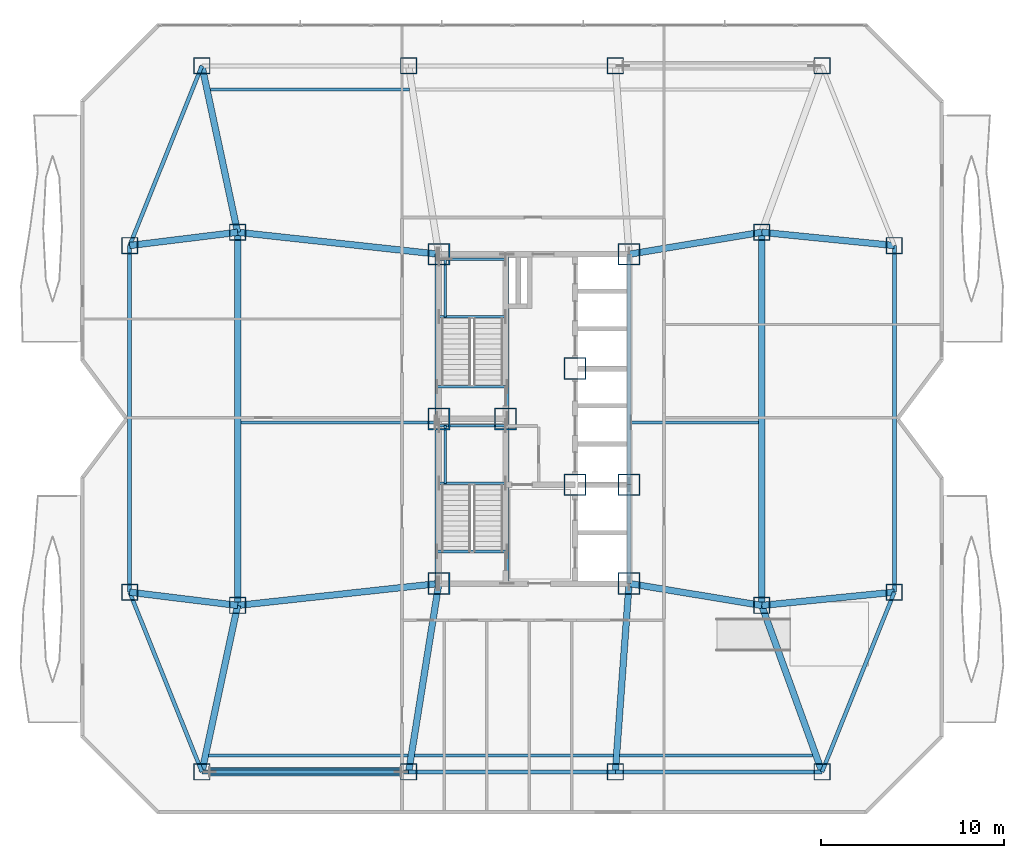
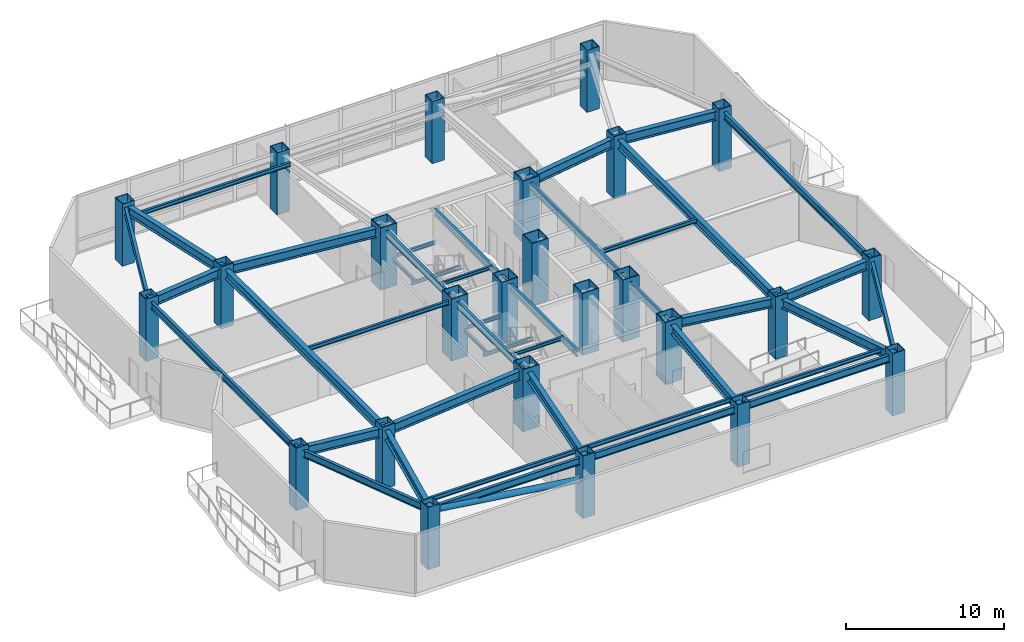
# One storey, part 1 of 16: 43 beams, 25 columns, 1 member.
"""IFC4 building model written with IfcOpenShell, lengths in metres."""

from ifc_helpers import new_model, si_unit, direction, frame, origin, origin_2d, place, context, subcontext, project, spatial, hollow_rectangle, hollow_circle, i_section, extrude, material, material_profile, profile_set, type_object, element, save


model = new_model("IFC4")

# Units and contexts
model_context = context("Model", 3, precision=1e-05, world=origin(), true_north=direction((0.0, 1.0)))
body_context = subcontext(model_context, "Body", "Model", "MODEL_VIEW")
ifc_project = project(units=[si_unit("LENGTHUNIT", "METRE"), si_unit("AREAUNIT", "SQUARE_METRE"), si_unit("VOLUMEUNIT", "CUBIC_METRE"), si_unit("PLANEANGLEUNIT", "RADIAN"), si_unit("MASSUNIT", "GRAM", prefix="KILO")], contexts=[model_context])

# Site, building, storey
site_placement = place(None, origin())
site = spatial("IfcSite", under=ifc_project, at=site_placement, CompositionType="ELEMENT")
building_placement = place(site_placement, origin())
building = spatial("IfcBuilding", under=site, at=building_placement, Name="Khamvora Tower", CompositionType="ELEMENT")
storey_placement = place(building_placement, frame((0.0, 0.0, 145.699951171875)))
storey = spatial("IfcBuildingStorey", under=building, at=storey_placement, Name="L37", CompositionType="ELEMENT", Elevation=145.699951171875)

# Columns
ifc_material_1 = material(Name="Steel S460", Category="steel")
ifc_material_profile_1 = material_profile(ifc_material_1, hollow_rectangle(XDim=1.199951171875, YDim=1.199951171875, WallThickness=0.06005859375, at=origin_2d()), Name="BOX1200x1200x60")
ifc_profile_set_1 = profile_set([ifc_material_profile_1], Name="Steel S460")
column_type_1 = type_object("IfcColumnType", Name="COL-BOX1200", PredefinedType="COLUMN", material=ifc_profile_set_1)
for number, where, z_axis, x_axis, name in (
    (1, (29.0, 19.0, 0.0), (0.0, 0.0, 1.0), (1.0, 0.0, 0.0), "L37 plumb core spine column SC1"),
    (2, (32.64990234375, 28.0, 0.0), (0.0, 0.0, 1.0), (1.0, 0.0, 0.0), "L37 plumb core spine column SC2"),
    (3, (39.39990234375, 19.0, 0.0), (0.0, 0.0, 1.0), (1.0, 0.0, 0.0), "L37 plumb core spine column SC3"),
    (4, (29.0, 28.0, 0.0), (0.0, 0.0, 1.0), (1.0, 0.0, 0.0), "L37 plumb core spine column SC4"),
    (5, (36.449951171875, 24.39990234375, 0.0), (0.0, 0.0, 1.0), (1.0, 0.0, 0.0), "L37 plumb core spine column SC5"),
    (6, (39.39990234375, 24.39990234375, 0.0), (0.0, 0.0, 1.0), (1.0, 0.0, 0.0), "L37 plumb core spine column SC6"),
    (7, (29.0, 37.0, 0.0), (0.0, 0.0, 1.0), (1.0, 0.0, 0.0), "L37 plumb core spine column SC7"),
    (8, (36.449951171875, 30.75, 0.0), (0.0, 0.0, 1.0), (1.0, 0.0, 0.0), "L37 plumb core spine column SC8"),
    (9, (39.39990234375, 37.0, 0.0), (0.0, 0.0, 1.0), (1.0, 0.0, 0.0), "L37 plumb core spine column SC9"),
):
    element("IfcColumn", number, at=place(storey_placement, frame(where, z_axis=z_axis, x_axis=x_axis)), inside=storey, type_object=column_type_1, Name=name, PredefinedType="COLUMN", context=body_context, shape_type="SweptSolid", body=[
        extrude(hollow_rectangle(XDim=1.199951171875, YDim=1.199951171875, WallThickness=0.06005859375, at=origin_2d()), origin(), (0.0, 0.0, 1.0), 4.800048828125),
    ])
ifc_material_2 = material(Name="Steel S355", Category="steel")
ifc_material_profile_2 = material_profile(ifc_material_2, hollow_rectangle(XDim=0.89990234375, YDim=0.89990234375, WallThickness=0.044921875, at=origin_2d()), Name="BOX900x900x45")
ifc_profile_set_2 = profile_set([ifc_material_profile_2], Name="Steel S355")
column_type_2 = type_object("IfcColumnType", Name="COL-BOX900", PredefinedType="COLUMN", material=ifc_profile_set_2)
for number, where, z_axis, x_axis, name in (
    (10, (16.050048828125, 8.699951171875, 0.0), (0.0, 0.0, 1.0), (1.0, 0.0, 0.0), "L37 structural frame column S1"),
    (11, (27.35009765625, 8.699951171875, 0.0), (0.0, 0.0, 1.0), (1.0, 0.0, 0.0), "L37 structural frame column S2"),
    (12, (38.64990234375, 8.699951171875, 0.0), (0.0, 0.0, 1.0), (1.0, 0.0, 0.0), "L37 structural frame column S3"),
    (13, (49.949951171875, 8.699951171875, 0.0), (0.0, 0.0, 1.0), (1.0, 0.0, 0.0), "L37 structural frame column S4"),
    (14, (16.050048828125, 47.300048828125, 0.0), (0.0, 0.0, 1.0), (1.0, 0.0, 0.0), "L37 structural frame column N1"),
    (15, (27.35009765625, 47.300048828125, 0.0), (0.0, 0.0, 1.0), (1.0, 0.0, 0.0), "L37 structural frame column N2"),
    (16, (38.64990234375, 47.300048828125, 0.0), (0.0, 0.0, 1.0), (1.0, 0.0, 0.0), "L37 structural frame column N3"),
    (17, (49.949951171875, 47.300048828125, 0.0), (0.0, 0.0, 1.0), (1.0, 0.0, 0.0), "L37 structural frame column N4"),
    (18, (12.10009765625, 18.52490234375, 0.0), (0.0, 0.0, 1.0), (1.0, 0.0, 0.0), "L37 structural frame column W1"),
    (19, (12.10009765625, 37.47509765625, 0.0), (0.0, 0.0, 1.0), (1.0, 0.0, 0.0), "L37 structural frame column W2"),
    (20, (53.89990234375, 18.52490234375, 0.0), (0.0, 0.0, 1.0), (1.0, 0.0, 0.0), "L37 structural frame column E1"),
    (21, (53.89990234375, 37.47509765625, 0.0), (0.0, 0.0, 1.0), (1.0, 0.0, 0.0), "L37 structural frame column E2"),
    (22, (18.0, 17.800048828125, 0.0), (0.0, 0.0, 1.0), (1.0, 0.0, 0.0), "L37 structural frame column MW1"),
    (23, (18.0, 38.199951171875, 0.0), (0.0, 0.0, 1.0), (1.0, 0.0, 0.0), "L37 structural frame column MW2"),
    (24, (46.64990234375, 17.800048828125, 0.0), (0.0, 0.0, 1.0), (1.0, 0.0, 0.0), "L37 structural frame column M1"),
    (25, (46.64990234375, 38.199951171875, 0.0), (0.0, 0.0, 1.0), (1.0, 0.0, 0.0), "L37 structural frame column M2"),
):
    element("IfcColumn", number, at=place(storey_placement, frame(where, z_axis=z_axis, x_axis=x_axis)), inside=storey, type_object=column_type_2, Name=name, PredefinedType="COLUMN", context=body_context, shape_type="SweptSolid", body=[
        extrude(hollow_rectangle(XDim=0.89990234375, YDim=0.89990234375, WallThickness=0.044921875, at=origin_2d()), origin(), (0.0, 0.0, 1.0), 4.800048828125),
    ])

# Beams
ifc_material_profile_3 = material_profile(ifc_material_2, i_section(OverallWidth=0.166015625, OverallDepth=0.31298828125, WebThickness=0.007080078125, FlangeThickness=0.010986328125, FilletRadius=0.010009765625, at=origin_2d()), Name="W310x45")
ifc_profile_set_3 = profile_set([ifc_material_profile_3], Name="Steel S355")
beam_type_1 = type_object("IfcBeamType", Name="BM-JS-W310x45", PredefinedType="JOIST", material=ifc_profile_set_3)
beam_1_placement = place(storey_placement, frame((16.4189453125, 9.60009765625, 4.323974609375), z_axis=(1.0, 0.0, 0.0), x_axis=(0.0, 1.0, 0.0)))
element("IfcBeam", 26, at=beam_1_placement, inside=storey, type_object=beam_type_1, Name="L37 secondary floor joist 01", PredefinedType="JOIST", context=body_context, shape_type="SweptSolid", body=[
    extrude(i_section(OverallWidth=0.166015625, OverallDepth=0.31298828125, WebThickness=0.007080078125, FlangeThickness=0.010986328125, FilletRadius=0.010009765625, at=origin_2d()), origin(), (0.0, 0.0, 1.0), 10.900146484375),
])
beam_2_placement = place(storey_placement, frame((27.6689453125, 9.60009765625, 4.323974609375), z_axis=(1.0, 0.0, 0.0), x_axis=(0.0, 1.0, 0.0)))
element("IfcBeam", 27, at=beam_2_placement, inside=storey, type_object=beam_type_1, Name="L37 secondary floor joist 02", PredefinedType="JOIST", context=body_context, shape_type="SweptSolid", body=[
    extrude(i_section(OverallWidth=0.166015625, OverallDepth=0.31298828125, WebThickness=0.007080078125, FlangeThickness=0.010986328125, FilletRadius=0.010009765625, at=origin_2d()), origin(), (0.0, 0.0, 1.0), 10.8740234375),
])
beam_3_placement = place(storey_placement, frame((38.888916015625, 9.60009765625, 4.323974609375), z_axis=(1.0, 0.0, 0.0), x_axis=(0.0, 1.0, 0.0)))
element("IfcBeam", 28, at=beam_3_placement, inside=storey, type_object=beam_type_1, Name="L37 secondary floor joist 03", PredefinedType="JOIST", context=body_context, shape_type="SweptSolid", body=[
    extrude(i_section(OverallWidth=0.166015625, OverallDepth=0.31298828125, WebThickness=0.007080078125, FlangeThickness=0.010986328125, FilletRadius=0.010009765625, at=origin_2d()), origin(), (0.0, 0.0, 1.0), 10.551025390625),
])
beam_4_placement = place(storey_placement, frame((18.172119140625, 27.800048828125, 4.323974609375), z_axis=(1.0, 0.0, 0.0), x_axis=(0.0, 1.0, 0.0)))
element("IfcBeam", 29, at=beam_4_placement, inside=storey, type_object=beam_type_1, Name="L37 secondary floor joist 04", PredefinedType="JOIST", context=body_context, shape_type="SweptSolid", body=[
    extrude(i_section(OverallWidth=0.166015625, OverallDepth=0.31298828125, WebThickness=0.007080078125, FlangeThickness=0.010986328125, FilletRadius=0.010009765625, at=origin_2d()), origin(), (0.0, 0.0, 1.0), 10.6279296875),
])
beam_5_placement = place(storey_placement, frame((39.4990234375, 27.800048828125, 4.323974609375), z_axis=(1.0, 0.0, 0.0), x_axis=(0.0, 1.0, 0.0)))
element("IfcBeam", 30, at=beam_5_placement, inside=storey, type_object=beam_type_1, Name="L37 secondary floor joist 05", PredefinedType="JOIST", context=body_context, shape_type="SweptSolid", body=[
    extrude(i_section(OverallWidth=0.166015625, OverallDepth=0.31298828125, WebThickness=0.007080078125, FlangeThickness=0.010986328125, FilletRadius=0.010009765625, at=origin_2d()), origin(), (0.0, 0.0, 1.0), 6.97802734375),
])
beam_6_placement = place(storey_placement, frame((16.5048828125, 46.0, 4.323974609375), z_axis=(1.0, 0.0, 0.0), x_axis=(0.0, 1.0, 0.0)))
element("IfcBeam", 31, at=beam_6_placement, inside=storey, type_object=beam_type_1, Name="L37 secondary floor joist 06", PredefinedType="JOIST", context=body_context, shape_type="SweptSolid", body=[
    extrude(i_section(OverallWidth=0.166015625, OverallDepth=0.31298828125, WebThickness=0.007080078125, FlangeThickness=0.010986328125, FilletRadius=0.010009765625, at=origin_2d()), origin(), (0.0, 0.0, 1.0), 10.878173828125),
])
ifc_material_profile_4 = material_profile(ifc_material_2, i_section(OverallWidth=0.14697265625, OverallDepth=0.261962890625, WebThickness=0.007080078125, FlangeThickness=0.010986328125, FilletRadius=0.008056640625, at=origin_2d()), Name="W250x39")
ifc_profile_set_4 = profile_set([ifc_material_profile_4], Name="Steel S355")
beam_type_2 = type_object("IfcBeamType", Name="BM-LN-W250x39", PredefinedType="LINTEL", material=ifc_profile_set_4)
for number, where, z_axis, x_axis, name in (
    (32, (29.0, 24.47509765625, 2.069091796875), (1.0, 0.0, 0.0), (0.0, 1.0, 0.0), "L37 ST-01 half-landing support beam 1.1"),
    (33, (29.0, 27.6298828125, 2.069091796875), (1.0, 0.0, 0.0), (0.0, 1.0, 0.0), "L37 ST-01 half-landing support beam 1.2"),
):
    element("IfcBeam", number, at=place(storey_placement, frame(where, z_axis=z_axis, x_axis=x_axis)), inside=storey, type_object=beam_type_2, Name=name, PredefinedType="LINTEL", context=body_context, shape_type="SweptSolid", body=[
        extrude(i_section(OverallWidth=0.14697265625, OverallDepth=0.261962890625, WebThickness=0.007080078125, FlangeThickness=0.010986328125, FilletRadius=0.008056640625, at=origin_2d()), origin(), (0.0, 0.0, 1.0), 3.64990234375),
    ])
beam_7_placement = place(storey_placement, frame((29.35009765625, 24.47509765625, 2.069091796875), z_axis=(0.0, 1.0, 0.0), x_axis=(-1.0, 0.0, 0.0)))
element("IfcBeam", 34, at=beam_7_placement, inside=storey, type_object=beam_type_2, Name="L37 ST-01 half-landing edge stringer 1", PredefinedType="LINTEL", context=body_context, shape_type="SweptSolid", body=[
    extrude(i_section(OverallWidth=0.14697265625, OverallDepth=0.261962890625, WebThickness=0.007080078125, FlangeThickness=0.010986328125, FilletRadius=0.008056640625, at=origin_2d()), origin(), (0.0, 0.0, 1.0), 3.15478515625),
])
for number, where, z_axis, x_axis, name in (
    (35, (29.0, 33.574951171875, 2.069091796875), (1.0, 0.0, 0.0), (0.0, 1.0, 0.0), "L37 ST-02 half-landing support beam 1.1"),
    (36, (29.0, 36.72998046875, 2.069091796875), (1.0, 0.0, 0.0), (0.0, 1.0, 0.0), "L37 ST-02 half-landing support beam 1.2"),
):
    element("IfcBeam", number, at=place(storey_placement, frame(where, z_axis=z_axis, x_axis=x_axis)), inside=storey, type_object=beam_type_2, Name=name, PredefinedType="LINTEL", context=body_context, shape_type="SweptSolid", body=[
        extrude(i_section(OverallWidth=0.14697265625, OverallDepth=0.261962890625, WebThickness=0.007080078125, FlangeThickness=0.010986328125, FilletRadius=0.008056640625, at=origin_2d()), origin(), (0.0, 0.0, 1.0), 3.64990234375),
    ])
beam_8_placement = place(storey_placement, frame((29.35009765625, 33.574951171875, 2.069091796875), z_axis=(0.0, 1.0, 0.0), x_axis=(-1.0, 0.0, 0.0)))
element("IfcBeam", 37, at=beam_8_placement, inside=storey, type_object=beam_type_2, Name="L37 ST-02 half-landing edge stringer 1", PredefinedType="LINTEL", context=body_context, shape_type="SweptSolid", body=[
    extrude(i_section(OverallWidth=0.14697265625, OverallDepth=0.261962890625, WebThickness=0.007080078125, FlangeThickness=0.010986328125, FilletRadius=0.008056640625, at=origin_2d()), origin(), (0.0, 0.0, 1.0), 3.155029296875),
])
for number, where, z_axis, x_axis, name in (
    (38, (28.89990234375, 20.75, 4.35400390625), (1.0, 0.0, 0.0), (0.0, 1.0, 0.0), "L37 exit stair ST-01 landing trimmer beam"),
    (39, (28.89990234375, 29.75, 4.35400390625), (1.0, 0.0, 0.0), (0.0, 1.0, 0.0), "L37 exit stair ST-02 landing trimmer beam"),
):
    element("IfcBeam", number, at=place(storey_placement, frame(where, z_axis=z_axis, x_axis=x_axis)), inside=storey, type_object=beam_type_2, Name=name, PredefinedType="LINTEL", context=body_context, shape_type="SweptSolid", body=[
        extrude(i_section(OverallWidth=0.14697265625, OverallDepth=0.261962890625, WebThickness=0.007080078125, FlangeThickness=0.010986328125, FilletRadius=0.008056640625, at=origin_2d()), origin(), (0.0, 0.0, 1.0), 3.830078125),
    ])
ifc_material_profile_5 = material_profile(ifc_material_2, i_section(OverallWidth=0.35498046875, OverallDepth=0.695068359375, WebThickness=0.014892578125, FlangeThickness=0.02490234375, FilletRadius=0.01611328125, at=origin_2d()), Name="W690x217")
ifc_profile_set_5 = profile_set([ifc_material_profile_5], Name="Steel S355")
beam_type_3 = type_object("IfcBeamType", Name="BM-PG-W690x217", PredefinedType="BEAM", material=ifc_profile_set_5)
for number, where, z_axis, x_axis, name in (
    (40, (46.64990234375, 17.800048828125, 4.133056640625), (0.0, 1.0, 0.0), (-1.0, 0.0, 0.0), "L37 longitudinal frame girder M1-M2"),
    (41, (18.0, 17.800048828125, 4.133056640625), (0.0, 1.0, 0.0), (-1.0, 0.0, 0.0), "L37 longitudinal frame girder MW1-MW2"),
):
    element("IfcBeam", number, at=place(storey_placement, frame(where, z_axis=z_axis, x_axis=x_axis)), inside=storey, type_object=beam_type_3, Name=name, PredefinedType="BEAM", context=body_context, shape_type="SweptSolid", body=[
        extrude(i_section(OverallWidth=0.35498046875, OverallDepth=0.695068359375, WebThickness=0.014892578125, FlangeThickness=0.02490234375, FilletRadius=0.01611328125, at=origin_2d()), origin(), (0.0, 0.0, 1.0), 20.39990234375),
    ])
beam_9_placement = place(storey_placement, frame((18.0, 17.800048828125, 4.133056640625), z_axis=(-0.209521922673, -0.977803949634, 0.0), x_axis=(0.977803949634, -0.209521922673, 0.0)))
element("IfcBeam", 42, at=beam_9_placement, inside=storey, type_object=beam_type_3, Name="L37 primary floor girder S1", PredefinedType="BEAM", context=body_context, shape_type="SweptSolid", body=[
    extrude(i_section(OverallWidth=0.35498046875, OverallDepth=0.695068359375, WebThickness=0.014892578125, FlangeThickness=0.02490234375, FilletRadius=0.01611328125, at=origin_2d()), origin(), (0.0, 0.0, 1.0), 9.306640625),
])
beam_10_placement = place(storey_placement, frame((29.0, 19.0, 4.133056640625), z_axis=(-0.158167584066, -0.987412282358, 0.0), x_axis=(0.987412282358, -0.158167584066, 0.0)))
element("IfcBeam", 43, at=beam_10_placement, inside=storey, type_object=beam_type_3, Name="L37 primary floor girder S2", PredefinedType="BEAM", context=body_context, shape_type="SweptSolid", body=[
    extrude(i_section(OverallWidth=0.35498046875, OverallDepth=0.695068359375, WebThickness=0.014892578125, FlangeThickness=0.02490234375, FilletRadius=0.01611328125, at=origin_2d()), origin(), (0.0, 0.0, 1.0), 10.431396484375),
])
beam_11_placement = place(storey_placement, frame((39.39990234375, 19.0, 4.133056640625), z_axis=(-0.07262291808, -0.997359469685, 0.0), x_axis=(0.997359469685, -0.07262291808, 0.0)))
element("IfcBeam", 44, at=beam_11_placement, inside=storey, type_object=beam_type_3, Name="L37 primary floor girder S3", PredefinedType="BEAM", context=body_context, shape_type="SweptSolid", body=[
    extrude(i_section(OverallWidth=0.35498046875, OverallDepth=0.695068359375, WebThickness=0.014892578125, FlangeThickness=0.02490234375, FilletRadius=0.01611328125, at=origin_2d()), origin(), (0.0, 0.0, 1.0), 10.327392578125),
])
beam_12_placement = place(storey_placement, frame((46.64990234375, 17.800048828125, 4.133056640625), z_axis=(0.340914681567, -0.940094239899, 0.0), x_axis=(0.940094239899, 0.340914681567, 0.0)))
element("IfcBeam", 45, at=beam_12_placement, inside=storey, type_object=beam_type_3, Name="L37 primary floor girder S4", PredefinedType="BEAM", context=body_context, shape_type="SweptSolid", body=[
    extrude(i_section(OverallWidth=0.35498046875, OverallDepth=0.695068359375, WebThickness=0.014892578125, FlangeThickness=0.02490234375, FilletRadius=0.01611328125, at=origin_2d()), origin(), (0.0, 0.0, 1.0), 9.679931640625),
])
beam_13_placement = place(storey_placement, frame((18.0, 38.199951171875, 4.133056640625), z_axis=(-0.209521922673, 0.977803949634, 0.0), x_axis=(-0.977803949634, -0.209521922673, 0.0)))
element("IfcBeam", 46, at=beam_13_placement, inside=storey, type_object=beam_type_3, Name="L37 primary floor girder N1", PredefinedType="BEAM", context=body_context, shape_type="SweptSolid", body=[
    extrude(i_section(OverallWidth=0.35498046875, OverallDepth=0.695068359375, WebThickness=0.014892578125, FlangeThickness=0.02490234375, FilletRadius=0.01611328125, at=origin_2d()), origin(), (0.0, 0.0, 1.0), 9.306640625),
])
for number, where, z_axis, x_axis, name in (
    (47, (18.0, 17.800048828125, 4.133056640625), (-0.992537264608, 0.12194170068, 0.0), (-0.12194170068, -0.992537264608, 0.0), "L37 primary floor girder W1"),
    (48, (18.0, 38.199951171875, 4.133056640625), (-0.992537264608, -0.12194170068, 0.0), (0.12194170068, -0.992537264608, 0.0), "L37 primary floor girder W2"),
):
    element("IfcBeam", number, at=place(storey_placement, frame(where, z_axis=z_axis, x_axis=x_axis)), inside=storey, type_object=beam_type_3, Name=name, PredefinedType="BEAM", context=body_context, shape_type="SweptSolid", body=[
        extrude(i_section(OverallWidth=0.35498046875, OverallDepth=0.695068359375, WebThickness=0.014892578125, FlangeThickness=0.02490234375, FilletRadius=0.01611328125, at=origin_2d()), origin(), (0.0, 0.0, 1.0), 5.9443359375),
    ])
for number, where, z_axis, x_axis, name in (
    (49, (46.64990234375, 17.800048828125, 4.133056640625), (0.995039180556, 0.099483813546, 0.0), (-0.099483813546, 0.995039180556, 0.0), "L37 primary floor girder E1"),
    (50, (46.64990234375, 38.199951171875, 4.133056640625), (0.995039180556, -0.099483813546, 0.0), (0.099483813546, 0.995039180556, 0.0), "L37 primary floor girder E2"),
):
    element("IfcBeam", number, at=place(storey_placement, frame(where, z_axis=z_axis, x_axis=x_axis)), inside=storey, type_object=beam_type_3, Name=name, PredefinedType="BEAM", context=body_context, shape_type="SweptSolid", body=[
        extrude(i_section(OverallWidth=0.35498046875, OverallDepth=0.695068359375, WebThickness=0.014892578125, FlangeThickness=0.02490234375, FilletRadius=0.01611328125, at=origin_2d()), origin(), (0.0, 0.0, 1.0), 7.2861328125),
    ])
for number, where, z_axis, x_axis, name in (
    (51, (29.0, 19.0, 4.133056640625), (-0.994102652327, -0.108443149329, 0.0), (0.108443149329, -0.994102652327, 0.0), "L37 primary floor girder MW1"),
    (52, (29.0, 37.0, 4.133056640625), (-0.994102652327, 0.108443149329, 0.0), (-0.108443149329, -0.994102652327, 0.0), "L37 primary floor girder MW2"),
):
    element("IfcBeam", number, at=place(storey_placement, frame(where, z_axis=z_axis, x_axis=x_axis)), inside=storey, type_object=beam_type_3, Name=name, PredefinedType="BEAM", context=body_context, shape_type="SweptSolid", body=[
        extrude(i_section(OverallWidth=0.35498046875, OverallDepth=0.695068359375, WebThickness=0.014892578125, FlangeThickness=0.02490234375, FilletRadius=0.01611328125, at=origin_2d()), origin(), (0.0, 0.0, 1.0), 11.065185546875),
    ])
for number, where, z_axis, x_axis, name in (
    (53, (39.39990234375, 19.0, 4.133056640625), (0.986578268552, -0.163289068896, 0.0), (0.163289068896, 0.986578268552, 0.0), "L37 primary floor girder M1"),
    (54, (39.39990234375, 37.0, 4.133056640625), (0.986578268552, 0.163289068896, 0.0), (-0.163289068896, 0.986578268552, 0.0), "L37 primary floor girder M2"),
):
    element("IfcBeam", number, at=place(storey_placement, frame(where, z_axis=z_axis, x_axis=x_axis)), inside=storey, type_object=beam_type_3, Name=name, PredefinedType="BEAM", context=body_context, shape_type="SweptSolid", body=[
        extrude(i_section(OverallWidth=0.35498046875, OverallDepth=0.695068359375, WebThickness=0.014892578125, FlangeThickness=0.02490234375, FilletRadius=0.01611328125, at=origin_2d()), origin(), (0.0, 0.0, 1.0), 7.3486328125),
    ])
ifc_material_profile_6 = material_profile(ifc_material_2, i_section(OverallWidth=0.2119140625, OverallDepth=0.5439453125, WebThickness=0.012939453125, FlangeThickness=0.02099609375, FilletRadius=0.013916015625, at=origin_2d()), Name="W530x123")
ifc_profile_set_6 = profile_set([ifc_material_profile_6], Name="Steel S355")
beam_type_4 = type_object("IfcBeamType", Name="BM-SP-W530x123", PredefinedType="SPANDREL", material=ifc_profile_set_6)
beam_14_placement = place(storey_placement, frame((12.10009765625, 18.52490234375, 4.2080078125), z_axis=(0.373015921536, -0.927824941614, 0.0), x_axis=(0.927824941614, 0.373015921536, 0.0)))
element("IfcBeam", 55, at=beam_14_placement, inside=storey, type_object=beam_type_4, Name="L37 perimeter spandrel beam W1-S1", PredefinedType="SPANDREL", context=body_context, shape_type="SweptSolid", body=[
    extrude(i_section(OverallWidth=0.2119140625, OverallDepth=0.5439453125, WebThickness=0.012939453125, FlangeThickness=0.02099609375, FilletRadius=0.013916015625, at=origin_2d()), origin(), (0.0, 0.0, 1.0), 10.589111328125),
])
beam_15_placement = place(storey_placement, frame((16.050048828125, 8.699951171875, 4.2080078125), z_axis=(1.0, 0.0, 0.0), x_axis=(0.0, 1.0, 0.0)))
element("IfcBeam", 56, at=beam_15_placement, inside=storey, type_object=beam_type_4, Name="L37 perimeter spandrel beam S1-S2", PredefinedType="SPANDREL", context=body_context, shape_type="SweptSolid", body=[
    extrude(i_section(OverallWidth=0.2119140625, OverallDepth=0.5439453125, WebThickness=0.012939453125, FlangeThickness=0.02099609375, FilletRadius=0.013916015625, at=origin_2d()), origin(), (0.0, 0.0, 1.0), 11.300048828125),
])
beam_16_placement = place(storey_placement, frame((27.35009765625, 8.699951171875, 4.2080078125), z_axis=(1.0, 0.0, 0.0), x_axis=(0.0, 1.0, 0.0)))
element("IfcBeam", 57, at=beam_16_placement, inside=storey, type_object=beam_type_4, Name="L37 perimeter spandrel beam S2-S3", PredefinedType="SPANDREL", context=body_context, shape_type="SweptSolid", body=[
    extrude(i_section(OverallWidth=0.2119140625, OverallDepth=0.5439453125, WebThickness=0.012939453125, FlangeThickness=0.02099609375, FilletRadius=0.013916015625, at=origin_2d()), origin(), (0.0, 0.0, 1.0), 11.2998046875),
])
beam_17_placement = place(storey_placement, frame((38.64990234375, 8.699951171875, 4.2080078125), z_axis=(1.0, 0.0, 0.0), x_axis=(0.0, 1.0, 0.0)))
element("IfcBeam", 58, at=beam_17_placement, inside=storey, type_object=beam_type_4, Name="L37 perimeter spandrel beam S3-S4", PredefinedType="SPANDREL", context=body_context, shape_type="SweptSolid", body=[
    extrude(i_section(OverallWidth=0.2119140625, OverallDepth=0.5439453125, WebThickness=0.012939453125, FlangeThickness=0.02099609375, FilletRadius=0.013916015625, at=origin_2d()), origin(), (0.0, 0.0, 1.0), 11.300048828125),
])
beam_18_placement = place(storey_placement, frame((49.949951171875, 8.699951171875, 4.2080078125), z_axis=(0.373015921536, 0.927824941614, 0.0), x_axis=(-0.927824941614, 0.373015921536, 0.0)))
element("IfcBeam", 59, at=beam_18_placement, inside=storey, type_object=beam_type_4, Name="L37 perimeter spandrel beam S4-E1", PredefinedType="SPANDREL", context=body_context, shape_type="SweptSolid", body=[
    extrude(i_section(OverallWidth=0.2119140625, OverallDepth=0.5439453125, WebThickness=0.012939453125, FlangeThickness=0.02099609375, FilletRadius=0.013916015625, at=origin_2d()), origin(), (0.0, 0.0, 1.0), 10.589111328125),
])
beam_19_placement = place(storey_placement, frame((53.89990234375, 18.52490234375, 4.2080078125), z_axis=(0.0, 1.0, 0.0), x_axis=(-1.0, 0.0, 0.0)))
element("IfcBeam", 60, at=beam_19_placement, inside=storey, type_object=beam_type_4, Name="L37 perimeter spandrel beam E1-E2", PredefinedType="SPANDREL", context=body_context, shape_type="SweptSolid", body=[
    extrude(i_section(OverallWidth=0.2119140625, OverallDepth=0.5439453125, WebThickness=0.012939453125, FlangeThickness=0.02099609375, FilletRadius=0.013916015625, at=origin_2d()), origin(), (0.0, 0.0, 1.0), 18.9501953125),
])
beam_20_placement = place(storey_placement, frame((16.050048828125, 47.300048828125, 4.2080078125), z_axis=(-0.373015921536, -0.927824941614, 0.0), x_axis=(0.927824941614, -0.373015921536, 0.0)))
element("IfcBeam", 61, at=beam_20_placement, inside=storey, type_object=beam_type_4, Name="L37 perimeter spandrel beam N1-W2", PredefinedType="SPANDREL", context=body_context, shape_type="SweptSolid", body=[
    extrude(i_section(OverallWidth=0.2119140625, OverallDepth=0.5439453125, WebThickness=0.012939453125, FlangeThickness=0.02099609375, FilletRadius=0.013916015625, at=origin_2d()), origin(), (0.0, 0.0, 1.0), 10.589111328125),
])
beam_21_placement = place(storey_placement, frame((12.10009765625, 37.47509765625, 4.2080078125), z_axis=(0.0, -1.0, 0.0), x_axis=(1.0, 0.0, 0.0)))
element("IfcBeam", 62, at=beam_21_placement, inside=storey, type_object=beam_type_4, Name="L37 perimeter spandrel beam W2-W1", PredefinedType="SPANDREL", context=body_context, shape_type="SweptSolid", body=[
    extrude(i_section(OverallWidth=0.2119140625, OverallDepth=0.5439453125, WebThickness=0.012939453125, FlangeThickness=0.02099609375, FilletRadius=0.013916015625, at=origin_2d()), origin(), (0.0, 0.0, 1.0), 18.9501953125),
])
ifc_material_profile_7 = material_profile(ifc_material_2, i_section(OverallWidth=0.208984375, OverallDepth=0.532958984375, WebThickness=0.010009765625, FlangeThickness=0.01611328125, FilletRadius=0.013916015625, at=origin_2d()), Name="W530x92")
ifc_profile_set_7 = profile_set([ifc_material_profile_7], Name="Steel S355")
beam_type_5 = type_object("IfcBeamType", Name="BM-SP-W530x92", PredefinedType="SPANDREL", material=ifc_profile_set_7)
for number, where, z_axis, x_axis, name in (
    (63, (28.89990234375, 19.0, 4.213134765625), (0.0, 1.0, 0.0), (-1.0, 0.0, 0.0), "L37 core spine girder WS"),
    (64, (28.89990234375, 28.0, 4.213134765625), (0.0, 1.0, 0.0), (-1.0, 0.0, 0.0), "L37 core spine girder WN"),
    (65, (32.72998046875, 19.0, 4.213134765625), (0.0, 1.0, 0.0), (-1.0, 0.0, 0.0), "L37 core spine girder M1S"),
    (66, (32.72998046875, 28.0, 4.213134765625), (0.0, 1.0, 0.0), (-1.0, 0.0, 0.0), "L37 core spine girder M1N"),
):
    element("IfcBeam", number, at=place(storey_placement, frame(where, z_axis=z_axis, x_axis=x_axis)), inside=storey, type_object=beam_type_5, Name=name, PredefinedType="SPANDREL", context=body_context, shape_type="SweptSolid", body=[
        extrude(i_section(OverallWidth=0.208984375, OverallDepth=0.532958984375, WebThickness=0.010009765625, FlangeThickness=0.01611328125, FilletRadius=0.013916015625, at=origin_2d()), origin(), (0.0, 0.0, 1.0), 9.0),
    ])
beam_22_placement = place(storey_placement, frame((39.39990234375, 19.0, 4.213134765625), z_axis=(0.0, 1.0, 0.0), x_axis=(-1.0, 0.0, 0.0)))
element("IfcBeam", 67, at=beam_22_placement, inside=storey, type_object=beam_type_5, Name="L37 core spine girder ES", PredefinedType="SPANDREL", context=body_context, shape_type="SweptSolid", body=[
    extrude(i_section(OverallWidth=0.208984375, OverallDepth=0.532958984375, WebThickness=0.010009765625, FlangeThickness=0.01611328125, FilletRadius=0.013916015625, at=origin_2d()), origin(), (0.0, 0.0, 1.0), 5.39990234375),
])
beam_23_placement = place(storey_placement, frame((39.39990234375, 24.39990234375, 4.213134765625), z_axis=(0.0, 1.0, 0.0), x_axis=(-1.0, 0.0, 0.0)))
element("IfcBeam", 68, at=beam_23_placement, inside=storey, type_object=beam_type_5, Name="L37 core spine girder EN", PredefinedType="SPANDREL", context=body_context, shape_type="SweptSolid", body=[
    extrude(i_section(OverallWidth=0.208984375, OverallDepth=0.532958984375, WebThickness=0.010009765625, FlangeThickness=0.01611328125, FilletRadius=0.013916015625, at=origin_2d()), origin(), (0.0, 0.0, 1.0), 12.60009765625),
])

# Member
ifc_material_profile_8 = material_profile(ifc_material_2, hollow_circle(Radius=0.228515625, WallThickness=0.02001953125, at=origin_2d()), Name="CHS457x20")
ifc_profile_set_8 = profile_set([ifc_material_profile_8], Name="Steel S355")
member_type = type_object("IfcMemberType", Name="MEM-BR-CHS457", PredefinedType="BRACE", material=ifc_profile_set_8)
member_placement = place(storey_placement, frame((26.924072265625, 8.699951171875, 2.738037109375), z_axis=(-0.99094044707, 0.0, 0.134302011754), x_axis=(0.0, -1.0, 0.0)))
element("IfcMember", 69, at=member_placement, inside=storey, type_object=member_type, Name="L37 perimeter wind brace 1", PredefinedType="BRACE", context=body_context, shape_type="SweptSolid", body=[
    extrude(hollow_circle(Radius=0.228515625, WallThickness=0.02001953125, at=origin_2d()), origin(), (0.0, 0.0, 1.0), 10.54345703125),
])

save(model, "model.ifc")
